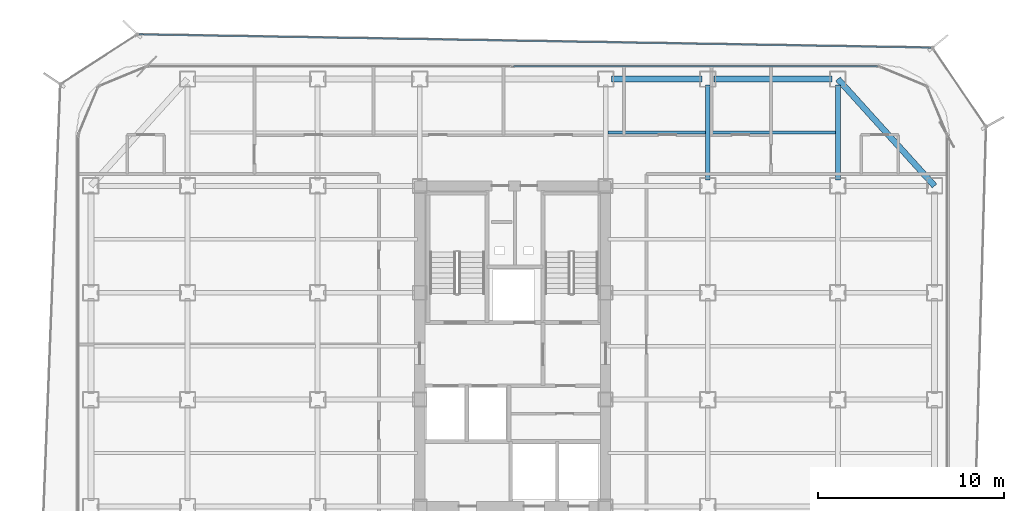
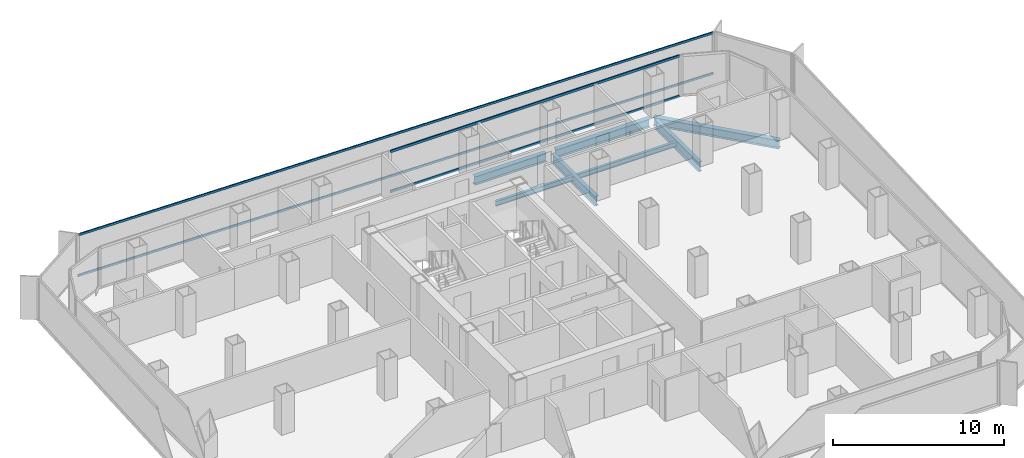
# One storey, part 13 of 21: 7 beams, 4 members, 2 elements without a shape of their own.
"""IFC4 building model written with IfcOpenShell, lengths in metres."""

from ifc_helpers import new_model, si_unit, direction, frame, origin, origin_2d, place, context, subcontext, project, spatial, hollow_rectangle, i_section, extrude, source, transform, mapped, material, layer, layer_set, material_profile, profile_set, type_object, element, aggregate, save


model = new_model("IFC4")

# Units and contexts
model_context = context("Model", 3, precision=1e-05, world=origin(), true_north=direction((0.0, 1.0)))
body_context = subcontext(model_context, "Body", "Model", "MODEL_VIEW")
ifc_project = project(units=[si_unit("LENGTHUNIT", "METRE"), si_unit("AREAUNIT", "SQUARE_METRE"), si_unit("VOLUMEUNIT", "CUBIC_METRE"), si_unit("PLANEANGLEUNIT", "RADIAN"), si_unit("MASSUNIT", "GRAM", prefix="KILO")], contexts=[model_context])

# Site, building, storey
site_placement = place(None, origin())
site = spatial("IfcSite", under=ifc_project, at=site_placement, CompositionType="ELEMENT")
building_placement = place(site_placement, origin())
building = spatial("IfcBuilding", under=site, at=building_placement, Name="Kolveth Station Tower", CompositionType="ELEMENT")
storey_placement = place(building_placement, frame((0.0, 0.0, 124.699951171875)))
storey = spatial("IfcBuildingStorey", under=building, at=storey_placement, Name="L34", CompositionType="ELEMENT", Elevation=124.699951171875)

# Beams
ifc_material_1 = material(Name="Steel S355", Category="steel")
ifc_material_profile_1 = material_profile(ifc_material_1, i_section(OverallWidth=0.323974609375, OverallDepth=0.611083984375, WebThickness=0.0126953125, FlangeThickness=0.01904296875, at=origin_2d()), Name="W610x155")
ifc_profile_set_1 = profile_set([ifc_material_profile_1], Name="Steel S355")
beam_type_1 = type_object("IfcBeamType", Name="Beam_SP2", PredefinedType="SPANDREL", material=ifc_profile_set_1)
shared_shape_1 = source(origin(), body_context, "Body", "SweptSolid", [
    extrude(i_section(OverallWidth=0.323974609375, OverallDepth=0.611083984375, WebThickness=0.0126953125, FlangeThickness=0.01904296875, at=origin_2d()), origin(), (0.0, 0.0, 1.0), 6.35986328125),
])
beam_1_placement = place(storey_placement, frame((34.320068359375, 34.5, -0.555419921875), z_axis=(1.0, 0.0, 0.0), x_axis=(0.0, 1.0, 0.0)))
element("IfcBeam", 1, at=beam_1_placement, inside=storey, type_object=beam_type_1, Name="L34 Perimeter Spandrel BM-L34-PN-5", PredefinedType="SPANDREL", context=body_context, shape_type="MappedRepresentation", body=[
    mapped(shared_shape_1, transform((0.0, 0.0, 0.0), x_axis=(1.0, 0.0, 0.0), y_axis=(0.0, 1.0, 0.0), z_axis=(0.0, 0.0, 1.0), scale=1.0)),
])
shared_shape_2 = source(origin(), body_context, "Body", "SweptSolid", [
    extrude(i_section(OverallWidth=0.323974609375, OverallDepth=0.611083984375, WebThickness=0.0126953125, FlangeThickness=0.01904296875, at=origin_2d()), origin(), (0.0, 0.0, 1.0), 4.85986328125),
])
beam_2_placement = place(storey_placement, frame((28.820068359375, 34.5, -0.555419921875), z_axis=(1.0, 0.0, 0.0), x_axis=(0.0, 1.0, 0.0)))
element("IfcBeam", 2, at=beam_2_placement, inside=storey, type_object=beam_type_1, Name="L34 Perimeter Spandrel BM-L34-PN-4", PredefinedType="SPANDREL", context=body_context, shape_type="MappedRepresentation", body=[
    mapped(shared_shape_2, transform((0.0, 0.0, 0.0), x_axis=(1.0, 0.0, 0.0), y_axis=(0.0, 1.0, 0.0), z_axis=(0.0, 0.0, 1.0), scale=1.0)),
])
shared_shape_3 = source(origin(), body_context, "Body", "SweptSolid", [
    extrude(i_section(OverallWidth=0.323974609375, OverallDepth=0.611083984375, WebThickness=0.0126953125, FlangeThickness=0.01904296875, at=origin_2d()), origin(), (0.0, 0.0, 1.0), 7.75244140625),
])
beam_3_placement = place(storey_placement, frame((46.199951171875, 28.75, -0.555419921875), z_axis=(-0.670740965555, 0.74169168603, 0.0), x_axis=(-0.74169168603, -0.670740965555, 0.0)))
element("IfcBeam", 3, at=beam_3_placement, inside=storey, type_object=beam_type_1, Name="L34 Corner Edge Girder BM-L34-CNR-NE", PredefinedType="SPANDREL", context=body_context, shape_type="MappedRepresentation", body=[
    mapped(shared_shape_3, transform((0.0, 0.0, 0.0), x_axis=(1.0, 0.0, 0.0), y_axis=(0.0, 1.0, 0.0), z_axis=(0.0, 0.0, 1.0), scale=1.0)),
])
ifc_material_profile_2 = material_profile(ifc_material_1, i_section(OverallWidth=0.25390625, OverallDepth=0.68798828125, WebThickness=0.01318359375, FlangeThickness=0.02099609375, at=origin_2d()), Name="W690x152")
ifc_profile_set_2 = profile_set([ifc_material_profile_2], Name="Steel S355")
beam_type_2 = type_object("IfcBeamType", Name="Beam_B4", PredefinedType="BEAM", material=ifc_profile_set_2)
shared_shape_4 = source(origin(), body_context, "Body", "SweptSolid", [
    extrude(i_section(OverallWidth=0.25390625, OverallDepth=0.68798828125, WebThickness=0.01318359375, FlangeThickness=0.02099609375, at=origin_2d()), origin(), (0.0, 0.0, 1.0), 5.10986328125),
])
for number, where, z_axis, x_axis, name in (
    (4, (34.0, 29.070068359375, -0.593994140625), (0.0, 1.0, 0.0), (-1.0, 0.0, 0.0), "L34 Primary Girder BM-L34-GX340-6"),
    (5, (41.0, 29.070068359375, -0.593994140625), (0.0, 1.0, 0.0), (-1.0, 0.0, 0.0), "L34 Primary Girder BM-L34-GX410-6"),
):
    element("IfcBeam", number, at=place(storey_placement, frame(where, z_axis=z_axis, x_axis=x_axis)), inside=storey, type_object=beam_type_2, Name=name, PredefinedType="BEAM", context=body_context, shape_type="MappedRepresentation", body=[
        mapped(shared_shape_4, transform((0.0, 0.0, 0.0), x_axis=(1.0, 0.0, 0.0), y_axis=(0.0, 1.0, 0.0), z_axis=(0.0, 0.0, 1.0), scale=1.0)),
    ])
ifc_material_profile_3 = material_profile(ifc_material_1, i_section(OverallWidth=0.1708984375, OverallDepth=0.35205078125, WebThickness=0.0068359375, FlangeThickness=0.009765625, at=origin_2d()), Name="W360x44")
ifc_profile_set_3 = profile_set([ifc_material_profile_3], Name="Steel S355")
beam_type_3 = type_object("IfcBeamType", Name="Beam_J2", PredefinedType="JOIST", material=ifc_profile_set_3)
shared_shape_5 = source(origin(), body_context, "Body", "SweptSolid", [
    extrude(i_section(OverallWidth=0.1708984375, OverallDepth=0.35205078125, WebThickness=0.0068359375, FlangeThickness=0.009765625, at=origin_2d()), origin(), (0.0, 0.0, 1.0), 6.75),
])
beam_4_placement = place(storey_placement, frame((34.125, 31.625, -0.426025390625), z_axis=(1.0, 0.0, 0.0), x_axis=(0.0, 1.0, 0.0)))
element("IfcBeam", 6, at=beam_4_placement, inside=storey, type_object=beam_type_3, Name="L34 Secondary Joist JST-L34-6-6", PredefinedType="JOIST", context=body_context, shape_type="MappedRepresentation", body=[
    mapped(shared_shape_5, transform((0.0, 0.0, 0.0), x_axis=(1.0, 0.0, 0.0), y_axis=(0.0, 1.0, 0.0), z_axis=(0.0, 0.0, 1.0), scale=1.0)),
])
shared_shape_6 = source(origin(), body_context, "Body", "SweptSolid", [
    extrude(i_section(OverallWidth=0.1708984375, OverallDepth=0.35205078125, WebThickness=0.0068359375, FlangeThickness=0.009765625, at=origin_2d()), origin(), (0.0, 0.0, 1.0), 5.25),
])
beam_5_placement = place(storey_placement, frame((28.625, 31.625, -0.426025390625), z_axis=(1.0, 0.0, 0.0), x_axis=(0.0, 1.0, 0.0)))
element("IfcBeam", 7, at=beam_5_placement, inside=storey, type_object=beam_type_3, Name="L34 Secondary Joist JST-L34-5-6", PredefinedType="JOIST", context=body_context, shape_type="MappedRepresentation", body=[
    mapped(shared_shape_6, transform((0.0, 0.0, 0.0), x_axis=(1.0, 0.0, 0.0), y_axis=(0.0, 1.0, 0.0), z_axis=(0.0, 0.0, 1.0), scale=1.0)),
])

# Curtain wall, members
ifc_material_2 = material(Name="Aluminium 6063-T6 and low-E dark glass", Category="aluminium")
ifc_layer_1 = layer(ifc_material_2, 0.18994140625)
ifc_layer_set_1 = layer_set([ifc_layer_1], Name="Aluminium 6063-T6 and low-E dark glass")
curtain_wall_type_1 = type_object("IfcCurtainWallType", Name="CurtainWall_CW-Z2", PredefinedType="NOTDEFINED", material=ifc_layer_set_1)
curtain_wall_1_placement = place(storey_placement, origin())
curtain_wall_1 = element("IfcCurtainWall", 8, at=curtain_wall_1_placement, inside=storey, type_object=curtain_wall_type_1, Name="L34 Inner Thermal Curtain Wall 6", PredefinedType="NOTDEFINED")
ifc_material_3 = material(Name="Black anodized aluminium 6063-T6", Category="aluminium")
ifc_material_profile_4 = material_profile(ifc_material_3, hollow_rectangle(XDim=0.080078125, YDim=0.169921875, WallThickness=0.0048828125, at=origin_2d()), Name="ALU-80x170x5")
ifc_profile_set_4 = profile_set([ifc_material_profile_4], Name="Black anodized aluminium 6063-T6")
member_type_1 = type_object("IfcMemberType", Name="Transom_TR2", PredefinedType="USERDEFINED", material=ifc_profile_set_4)
shared_shape_7 = source(origin(), body_context, "Body", "SweptSolid", [
    extrude(hollow_rectangle(XDim=0.080078125, YDim=0.169921875, WallThickness=0.0048828125, at=origin_2d()), origin(), (0.0, 0.0, 1.0), 19.580078125),
])
member_1_placement = place(storey_placement, frame((43.1201171875, 35.179931640625, 0.0400390625), z_axis=(-1.0, 0.0, 0.0), x_axis=(0.0, -1.0, 0.0)))
member_1 = element("IfcMember", 9, at=member_1_placement, type_object=member_type_1, Name="CW-Z2 transom 1.1", ObjectType="TRANSOM", PredefinedType="USERDEFINED", context=body_context, shape_type="MappedRepresentation", body=[
    mapped(shared_shape_7, transform((0.0, 0.0, 0.0), x_axis=(1.0, 0.0, 0.0), y_axis=(0.0, 1.0, 0.0), z_axis=(0.0, 0.0, 1.0), scale=1.0)),
])
member_2_placement = place(storey_placement, frame((43.1201171875, 35.179931640625, 2.91015625), z_axis=(-1.0, 0.0, 0.0), x_axis=(0.0, -1.0, 0.0)))
member_2 = element("IfcMember", 10, at=member_2_placement, type_object=member_type_1, Name="CW-Z2 transom 1.2", ObjectType="TRANSOM", PredefinedType="USERDEFINED", context=body_context, shape_type="MappedRepresentation", body=[
    mapped(shared_shape_7, transform((0.0, 0.0, 0.0), x_axis=(1.0, 0.0, 0.0), y_axis=(0.0, 1.0, 0.0), z_axis=(0.0, 0.0, 1.0), scale=1.0)),
])
aggregate(curtain_wall_1, [member_1, member_2])

ifc_material_4 = material(Name="Black anodized aluminium 6063-T6 and dark solar glass", Category="aluminium")
ifc_layer_2 = layer(ifc_material_4, 0.159912109375)
ifc_layer_set_2 = layer_set([ifc_layer_2], Name="Black anodized aluminium 6063-T6 and dark solar glass")
curtain_wall_type_2 = type_object("IfcCurtainWallType", Name="OUTER SKIN CW-OS", PredefinedType="NOTDEFINED", material=ifc_layer_set_2)
curtain_wall_2_placement = place(storey_placement, origin())
curtain_wall_2 = element("IfcCurtainWall", 11, at=curtain_wall_2_placement, inside=storey, type_object=curtain_wall_type_2, Name="L34 Outer Ventilated Skin Curtain Wall 4", PredefinedType="NOTDEFINED")
ifc_material_profile_5 = material_profile(ifc_material_3, hollow_rectangle(XDim=0.080078125, YDim=0.14990234375, WallThickness=0.0048828125, at=origin_2d()), Name="ALU-80x150x5")
ifc_profile_set_5 = profile_set([ifc_material_profile_5], Name="Black anodized aluminium 6063-T6")
member_type_2 = type_object("IfcMemberType", Name="Transom_TR-OS", PredefinedType="USERDEFINED", material=ifc_profile_set_5)
shared_shape_8 = source(origin(), body_context, "Body", "SweptSolid", [
    extrude(hollow_rectangle(XDim=0.080078125, YDim=0.14990234375, WallThickness=0.0048828125, at=origin_2d()), origin(), (0.0, 0.0, 1.0), 42.611328125),
])
member_3_placement = place(storey_placement, frame((45.99951171875, 36.189208984375, 0.0400390625), z_axis=(-0.999860234838, 0.016718576174, 0.0), x_axis=(-0.016718576174, -0.999860234838, 0.0)))
member_3 = element("IfcMember", 12, at=member_3_placement, type_object=member_type_2, Name="CW-OS transom 1.1", ObjectType="TRANSOM", PredefinedType="USERDEFINED", context=body_context, shape_type="MappedRepresentation", body=[
    mapped(shared_shape_8, transform((0.0, 0.0, 0.0), x_axis=(1.0, 0.0, 0.0), y_axis=(0.0, 1.0, 0.0), z_axis=(0.0, 0.0, 1.0), scale=1.0)),
])
member_4_placement = place(storey_placement, frame((45.99951171875, 36.189208984375, 2.949951171875), z_axis=(-0.999860234838, 0.016718576174, 0.0), x_axis=(-0.016718576174, -0.999860234838, 0.0)))
member_4 = element("IfcMember", 13, at=member_4_placement, type_object=member_type_2, Name="CW-OS transom 1.2", ObjectType="TRANSOM", PredefinedType="USERDEFINED", context=body_context, shape_type="MappedRepresentation", body=[
    mapped(shared_shape_8, transform((0.0, 0.0, 0.0), x_axis=(1.0, 0.0, 0.0), y_axis=(0.0, 1.0, 0.0), z_axis=(0.0, 0.0, 1.0), scale=1.0)),
])
aggregate(curtain_wall_2, [member_3, member_4])

save(model, "model.ifc")
